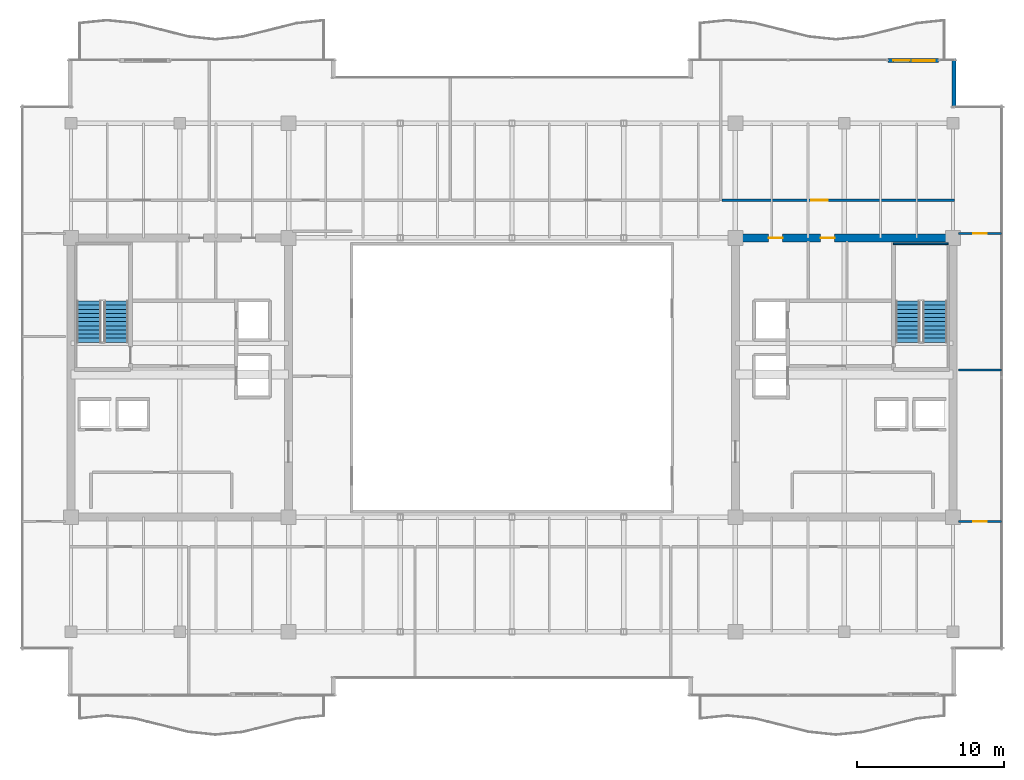
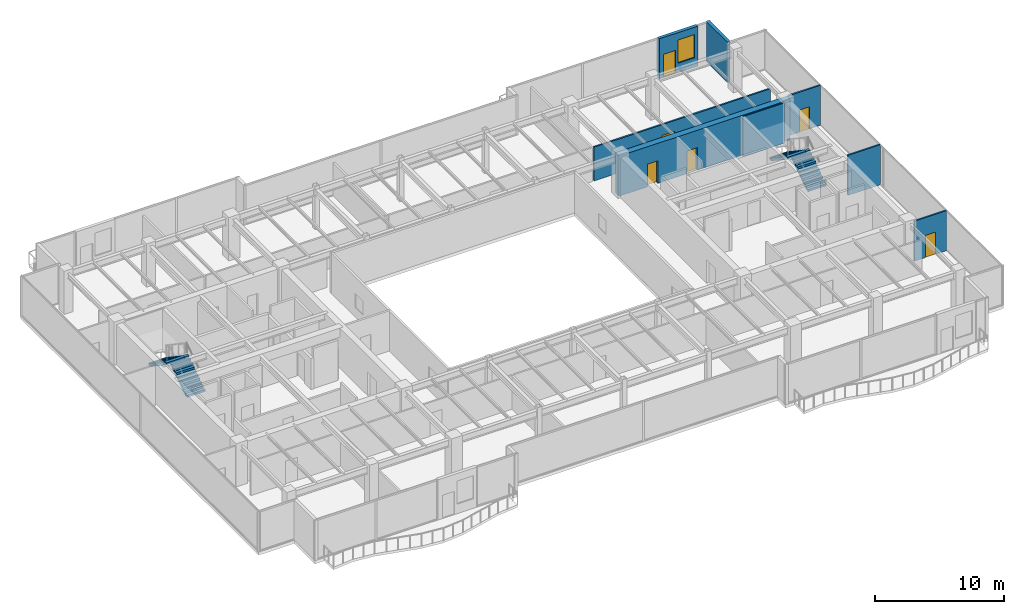
# One storey, part 31 of 34: 8 walls, 6 doors, 4 stair flights, 1 window, 7 openings, 2 elements without a shape of their own.
"""IFC4 building model written with IfcOpenShell, lengths in metres."""

from ifc_helpers import new_model, si_unit, direction, frame, frame_2d, origin, place, context, subcontext, project, spatial, polyline, rectangle, outline, extrude, source, transform, mapped, material, layer, layer_set, type_object, type_shapes, element, fill, aggregate, save


model = new_model("IFC4")

# Units and contexts
model_context = context("Model", 3, precision=1e-05, world=origin(), true_north=direction((0.0, 1.0)))
body_context = subcontext(model_context, "Body", "Model", "MODEL_VIEW")
ifc_project = project(units=[si_unit("LENGTHUNIT", "METRE"), si_unit("AREAUNIT", "SQUARE_METRE"), si_unit("VOLUMEUNIT", "CUBIC_METRE"), si_unit("PLANEANGLEUNIT", "RADIAN"), si_unit("MASSUNIT", "GRAM", prefix="KILO")], contexts=[model_context])

# Site, building, storey
site_placement = place(None, origin())
site = spatial("IfcSite", under=ifc_project, at=site_placement, CompositionType="ELEMENT")
building_placement = place(site_placement, origin())
building = spatial("IfcBuilding", under=site, at=building_placement, Name="Haelvirn Gate Laboratories", CompositionType="ELEMENT")
storey_placement = place(building_placement, frame((0.0, 0.0, 246.5)))
storey = spatial("IfcBuildingStorey", under=building, at=storey_placement, Name="L59", CompositionType="ELEMENT", Elevation=246.5)

# Wall, openings, door, window
ifc_material_1 = material(Name="Thermally-broken bronze aluminium rainscreen & mineral wool", Category="aluminium")
ifc_layer_1 = layer(ifc_material_1, 0.280029296875, Name="EW-TERR-280")
ifc_layer_set_1 = layer_set([ifc_layer_1], Name="Thermally-broken bronze aluminium rainscreen & mineral wool")
wall_type_1 = type_object("IfcWallType", Name="EW-TERR-280", PredefinedType="STANDARD", material=ifc_layer_set_1)
wall_1_placement = place(storey_placement, frame((62.971923828125, 45.860107421875, 0.0), z_axis=(0.0, 0.0, 1.0), x_axis=(1.0, 0.0, 0.0)))
wall_1 = element("IfcWall", 1, at=wall_1_placement, inside=storey, type_object=wall_type_1, Name="L59 Terrace Access Wall WB-EL-N", PredefinedType="STANDARD", context=body_context, shape_type="SweptSolid", body=[
    extrude(rectangle(XDim=3.4560546875, YDim=0.280029296875, at=frame_2d((1.72802734375, 0.0))), origin(), (0.0, 0.0, 1.0), 3.800048828125),
])
opening_1_placement = place(wall_1_placement, frame((0.3779296875, 0.0, 0.0)))
opening_1 = element("IfcOpeningElement", 2, at=opening_1_placement, cuts=wall_1, Name="Opening TD1", PredefinedType="OPENING", context=body_context, shape_type="SweptSolid", body=[
    extrude(rectangle(XDim=1.10009765625, YDim=2.199951171875, at=frame_2d((0.550048828125, 1.10009765625))), frame((0.0, 0.14990234375, 0.0), z_axis=(0.0, -1.0, 0.0), x_axis=(1.0, 0.0, 0.0)), (0.0, 0.0, 1.0), 0.300048828125),
])
opening_2_placement = place(wall_1_placement, frame((1.677978515625, 0.0, 0.89990234375)))
opening_2 = element("IfcOpeningElement", 3, at=opening_2_placement, cuts=wall_1, Name="Opening W3", PredefinedType="OPENING", context=body_context, shape_type="SweptSolid", body=[
    extrude(rectangle(XDim=1.5, YDim=2.199951171875, at=frame_2d((0.75, 1.10009765625))), frame((0.0, 0.14990234375, 0.0), z_axis=(0.0, -1.0, 0.0), x_axis=(1.0, 0.0, 0.0)), (0.0, 0.0, 1.0), 0.300048828125),
])
ifc_material_2 = material(Name="Thermally-broken bronze aluminium glazed terrace door", Category="aluminium")
door_type_1 = type_object("IfcDoorType", Name="DR-TERR-1100", OperationType="NOTDEFINED", PredefinedType="DOOR", material=ifc_material_2)
shared_shape_1 = source(origin(), body_context, "Body", "SweptSolid", [
    extrude(rectangle(XDim=1.10009765625, YDim=2.199951171875, at=frame_2d((0.550048828125, 1.10009765625))), frame((0.0, 0.02490234375, 0.0), z_axis=(0.0, -1.0, 0.0), x_axis=(1.0, 0.0, 0.0)), (0.0, 0.0, 1.0), 0.050048828125),
])
type_shapes(door_type_1, [shared_shape_1])
door_1_placement = place(opening_1_placement, origin())
door_1 = element("IfcDoor", 4, at=door_1_placement, inside=storey, type_object=door_type_1, Name="L59 Terrace Access Door WB-EL-N", OperationType="SINGLE_SWING_RIGHT", OverallHeight=2.199951171875, OverallWidth=1.10009765625, PredefinedType="DOOR", context=body_context, shape_type="MappedRepresentation", body=[
    mapped(shared_shape_1, transform((0.0, 0.0, 0.0), scale=1.0)),
])
fill(opening_1, door_1)
ifc_material_3 = material(Name="Bronze anodised aluminium & triple low-E glass", Category="aluminium")
window_type = type_object("IfcWindowType", Name="WIN-TERR-1600", PartitioningType="SINGLE_PANEL", PredefinedType="WINDOW", material=ifc_material_3)
shared_shape_2 = source(origin(), body_context, "Body", "SweptSolid", [
    extrude(rectangle(XDim=1.5, YDim=2.199951171875, at=frame_2d((0.75, 1.10009765625))), frame((0.0, 0.030029296875, 0.0), z_axis=(0.0, -1.0, 0.0), x_axis=(1.0, 0.0, 0.0)), (0.0, 0.0, 1.0), 0.06005859375),
])
type_shapes(window_type, [shared_shape_2])
window_placement = place(opening_2_placement, origin())
window = element("IfcWindow", 5, at=window_placement, inside=storey, type_object=window_type, Name="L59 Terrace Vision Window WB-EL-N", OverallHeight=2.199951171875, OverallWidth=1.5, PartitioningType="SINGLE_PANEL", PredefinedType="WINDOW", context=body_context, shape_type="MappedRepresentation", body=[
    mapped(shared_shape_2, transform((0.0, 0.0, 0.0), scale=1.0)),
])
fill(opening_2, window)

# Wall
wall_2_placement = place(storey_placement, frame((67.4599609375, 42.7119140625, 0.0), z_axis=(0.0, 0.0, 1.0), x_axis=(0.0, 1.0, 0.0)))
element("IfcWall", 6, at=wall_2_placement, inside=storey, type_object=wall_type_1, Name="L59 Atrium Recess Bronze Return Wall 09", PredefinedType="STANDARD", context=body_context, shape_type="SweptSolid", body=[
    extrude(rectangle(XDim=3.2880859375, YDim=0.280029296875, at=frame_2d((1.64404296875, 0.0))), origin(), (0.0, 0.0, 1.0), 3.800048828125),
])

# Wall, opening, door
ifc_material_4 = material(Name="Acoustic mineral-wool gypsum board partition", Category="gypsum")
ifc_layer_2 = layer(ifc_material_4, 0.139892578125, Name="IW-PART-140")
ifc_layer_set_2 = layer_set([ifc_layer_2], Name="Acoustic mineral-wool gypsum board partition")
wall_type_2 = type_object("IfcWallType", Name="IW-PART-140", PredefinedType="PARTITIONING", material=ifc_layer_set_2)
wall_3_placement = place(storey_placement, frame((51.679931640625, 36.360107421875, 0.0), z_axis=(0.0, 0.0, 1.0), x_axis=(1.0, 0.0, 0.0)))
wall_3 = element("IfcWall", 7, at=wall_3_placement, inside=storey, type_object=wall_type_2, Name="L59 Interior Wall IW-L59-NCORR-04", PredefinedType="PARTITIONING", context=body_context, shape_type="SweptSolid", body=[
    extrude(rectangle(XDim=15.81005859375, YDim=0.139892578125, at=frame_2d((7.905029296875, 0.0))), origin(), (0.0, 0.0, 1.0), 3.197021484375),
])
opening_3_placement = place(wall_3_placement, frame((6.093994140625, 0.0, 0.0)))
opening_3 = element("IfcOpeningElement", 8, at=opening_3_placement, cuts=wall_3, Name="Opening D1", PredefinedType="OPENING", context=body_context, shape_type="SweptSolid", body=[
    extrude(rectangle(XDim=1.10009765625, YDim=2.179931640625, at=frame_2d((0.550048828125, 1.08984375))), frame((0.0, 0.080078125, 0.0), z_axis=(0.0, -1.0, 0.0), x_axis=(1.0, 0.0, 0.0)), (0.0, 0.0, 1.0), 0.159912109375),
])
ifc_material_5 = material(Name="Vision-panel acoustic solid-core timber lab door", Category="wood")
door_type_2 = type_object("IfcDoorType", Name="DR-LAB-1100", OperationType="NOTDEFINED", PredefinedType="DOOR", material=ifc_material_5)
shared_shape_3 = source(origin(), body_context, "Body", "SweptSolid", [
    extrude(rectangle(XDim=1.10009765625, YDim=2.179931640625, at=frame_2d((0.550048828125, 1.08984375))), frame((0.0, 0.02490234375, 0.0), z_axis=(0.0, -1.0, 0.0), x_axis=(1.0, 0.0, 0.0)), (0.0, 0.0, 1.0), 0.050048828125),
])
type_shapes(door_type_2, [shared_shape_3])
door_2_placement = place(opening_3_placement, origin())
door_2 = element("IfcDoor", 9, at=door_2_placement, inside=storey, type_object=door_type_2, Name="L59 Colloquium Conference Room Door N4", OperationType="SINGLE_SWING_RIGHT", OverallHeight=2.179931640625, OverallWidth=1.10009765625, PredefinedType="DOOR", context=body_context, shape_type="MappedRepresentation", body=[
    mapped(shared_shape_3, transform((0.0, 0.0, 0.0), scale=1.0)),
])
fill(opening_3, door_2)

# Wall
wall_4_placement = place(storey_placement, frame((67.780029296875, 24.800048828125, 0.0), z_axis=(0.0, 0.0, 1.0), x_axis=(1.0, 0.0, 0.0)))
element("IfcWall", 10, at=wall_4_placement, inside=storey, type_object=wall_type_2, Name="L59 Interior Wall IW-L59-EZ3-MID", PredefinedType="PARTITIONING", context=body_context, shape_type="SweptSolid", body=[
    extrude(rectangle(XDim=2.909912109375, YDim=0.139892578125, at=frame_2d((1.455078125, 0.0))), origin(), (0.0, 0.0, 1.0), 3.800048828125),
])

# Wall, opening, door
wall_5_placement = place(storey_placement, frame((67.780029296875, 14.5048828125, 0.0), z_axis=(0.0, 0.0, 1.0), x_axis=(1.0, 0.0, 0.0)))
wall_5 = element("IfcWall", 11, at=wall_5_placement, inside=storey, type_object=wall_type_2, Name="L59 Interior Wall IW-L59-EZ3-ENT-S", PredefinedType="PARTITIONING", context=body_context, shape_type="SweptSolid", body=[
    extrude(rectangle(XDim=2.909912109375, YDim=0.139892578125, at=frame_2d((1.455078125, 0.0))), origin(), (0.0, 0.0, 1.0), 3.800048828125),
])
opening_4_placement = place(wall_5_placement, frame((1.0048828125, 0.0, 0.0)))
opening_4 = element("IfcOpeningElement", 12, at=opening_4_placement, cuts=wall_5, Name="Opening D4", PredefinedType="OPENING", context=body_context, shape_type="SweptSolid", body=[
    extrude(rectangle(XDim=0.89990234375, YDim=2.10009765625, at=frame_2d((0.449951171875, 1.050048828125))), frame((0.0, 0.080078125, 0.0), z_axis=(0.0, -1.0, 0.0), x_axis=(1.0, 0.0, 0.0)), (0.0, 0.0, 1.0), 0.159912109375),
])
ifc_material_6 = material(Name="Glazed aluminium-framed write-up door", Category="aluminium")
door_type_3 = type_object("IfcDoorType", Name="DR-OFF-900", OperationType="NOTDEFINED", PredefinedType="DOOR", material=ifc_material_6)
shared_shape_4 = source(origin(), body_context, "Body", "SweptSolid", [
    extrude(rectangle(XDim=0.89990234375, YDim=2.10009765625, at=frame_2d((0.449951171875, 1.050048828125))), frame((0.0, 0.02490234375, 0.0), z_axis=(0.0, -1.0, 0.0), x_axis=(1.0, 0.0, 0.0)), (0.0, 0.0, 1.0), 0.050048828125),
])
type_shapes(door_type_3, [shared_shape_4])
door_3_placement = place(opening_4_placement, origin())
door_3 = element("IfcDoor", 13, at=door_3_placement, inside=storey, type_object=door_type_3, Name="L59 Cleanroom Metrology Suite Door E-S", OperationType="SINGLE_SWING_LEFT", OverallHeight=2.10009765625, OverallWidth=0.89990234375, PredefinedType="DOOR", context=body_context, shape_type="MappedRepresentation", body=[
    mapped(shared_shape_4, transform((0.0, 0.0, 0.0), scale=1.0)),
])
fill(opening_4, door_3)

wall_6_placement = place(storey_placement, frame((67.780029296875, 34.094970703125, 0.0), z_axis=(0.0, 0.0, 1.0), x_axis=(1.0, 0.0, 0.0)))
wall_6 = element("IfcWall", 14, at=wall_6_placement, inside=storey, type_object=wall_type_2, Name="L59 Interior Wall IW-L59-EZ3-ENT-N", PredefinedType="PARTITIONING", context=body_context, shape_type="SweptSolid", body=[
    extrude(rectangle(XDim=2.909912109375, YDim=0.139892578125, at=frame_2d((1.455078125, 0.0))), origin(), (0.0, 0.0, 1.0), 3.800048828125),
])
opening_5_placement = place(wall_6_placement, frame((1.0048828125, 0.0, 0.0)))
opening_5 = element("IfcOpeningElement", 15, at=opening_5_placement, cuts=wall_6, Name="Opening D4", PredefinedType="OPENING", context=body_context, shape_type="SweptSolid", body=[
    extrude(rectangle(XDim=0.89990234375, YDim=2.10009765625, at=frame_2d((0.449951171875, 1.050048828125))), frame((0.0, 0.080078125, 0.0), z_axis=(0.0, -1.0, 0.0), x_axis=(1.0, 0.0, 0.0)), (0.0, 0.0, 1.0), 0.159912109375),
])
door_4_placement = place(opening_5_placement, origin())
door_4 = element("IfcDoor", 16, at=door_4_placement, inside=storey, type_object=door_type_3, Name="L59 Analytical Instrument Suite Door E-N", OperationType="SINGLE_SWING_RIGHT", OverallHeight=2.10009765625, OverallWidth=0.89990234375, PredefinedType="DOOR", context=body_context, shape_type="MappedRepresentation", body=[
    mapped(shared_shape_4, transform((0.0, 0.0, 0.0), scale=1.0)),
])
fill(opening_5, door_4)

# Wall, openings, doors
ifc_material_7 = material(Name="Concrete C50/60", Category="concrete")
ifc_layer_3 = layer(ifc_material_7, 0.550048828125, Name="SW-CORE-550")
ifc_layer_set_3 = layer_set([ifc_layer_3], Name="Concrete C50/60")
wall_type_3 = type_object("IfcWallType", Name="SW-CORE-550", PredefinedType="SHEAR", material=ifc_layer_set_3)
wall_7_placement = place(storey_placement, frame((52.324951171875, 33.800048828125, 0.0), z_axis=(0.0, 0.0, 1.0), x_axis=(1.0, 0.0, 0.0)))
wall_7 = element("IfcWall", 17, at=wall_7_placement, inside=storey, type_object=wall_type_3, Name="L59 E Core Shear Wall N", PredefinedType="SHEAR", context=body_context, shape_type="SweptSolid", body=[
    extrude(rectangle(XDim=15.35009765625, YDim=0.550048828125, at=frame_2d((7.675048828125, 0.0))), origin(), (0.0, 0.0, 1.0), 3.800048828125),
])
opening_6_placement = place(wall_7_placement, frame((6.074951171875, 0.0, 0.0)))
opening_6 = element("IfcOpeningElement", 18, at=opening_6_placement, cuts=wall_7, Name="Opening FD4", PredefinedType="OPENING", context=body_context, shape_type="SweptSolid", body=[
    extrude(rectangle(XDim=0.949951171875, YDim=2.14990234375, at=frame_2d((0.47509765625, 1.074951171875))), frame((0.0, 0.28515625, 0.0), z_axis=(0.0, -1.0, 0.0), x_axis=(1.0, 0.0, 0.0)), (0.0, 0.0, 1.0), 0.570068359375),
])
opening_7_placement = place(wall_7_placement, frame((2.534912109375, 0.0, 0.0)))
opening_7 = element("IfcOpeningElement", 19, at=opening_7_placement, cuts=wall_7, Name="Opening FD4", PredefinedType="OPENING", context=body_context, shape_type="SweptSolid", body=[
    extrude(rectangle(XDim=0.949951171875, YDim=2.14990234375, at=frame_2d((0.47509765625, 1.074951171875))), frame((0.0, 0.28515625, 0.0), z_axis=(0.0, -1.0, 0.0), x_axis=(1.0, 0.0, 0.0)), (0.0, 0.0, 1.0), 0.570068359375),
])
ifc_material_8 = material(Name="Fire-rated steel SM355 core service door", Category="steel")
door_type_4 = type_object("IfcDoorType", Name="DR-FD-950", OperationType="NOTDEFINED", PredefinedType="DOOR", material=ifc_material_8)
shared_shape_5 = source(origin(), body_context, "Body", "SweptSolid", [
    extrude(rectangle(XDim=0.949951171875, YDim=2.14990234375, at=frame_2d((0.47509765625, 1.074951171875))), frame((0.0, 0.02490234375, 0.0), z_axis=(0.0, -1.0, 0.0), x_axis=(1.0, 0.0, 0.0)), (0.0, 0.0, 1.0), 0.050048828125),
])
type_shapes(door_type_4, [shared_shape_5])
door_5_placement = place(opening_6_placement, origin())
door_5 = element("IfcDoor", 20, at=door_5_placement, inside=storey, type_object=door_type_4, Name="L59 Accessible Restroom Fire Door", OperationType="SINGLE_SWING_RIGHT", OverallHeight=2.14990234375, OverallWidth=0.949951171875, PredefinedType="DOOR", context=body_context, shape_type="MappedRepresentation", body=[
    mapped(shared_shape_5, transform((0.0, 0.0, 0.0), scale=1.0)),
])
fill(opening_6, door_5)
door_6_placement = place(opening_7_placement, origin())
door_6 = element("IfcDoor", 21, at=door_6_placement, inside=storey, type_object=door_type_4, Name="L59 Staff Restroom Fire Door", OperationType="SINGLE_SWING_LEFT", OverallHeight=2.14990234375, OverallWidth=0.949951171875, PredefinedType="DOOR", context=body_context, shape_type="MappedRepresentation", body=[
    mapped(shared_shape_5, transform((0.0, 0.0, 0.0), scale=1.0)),
])
fill(opening_7, door_6)

# Wall
ifc_layer_4 = layer(ifc_material_7, 0.1201171875, Name="SW-LINER-120")
ifc_layer_set_4 = layer_set([ifc_layer_4], Name="Concrete C50/60")
wall_type_4 = type_object("IfcWallType", Name="SW-LINER-120", PredefinedType="SOLIDWALL", material=ifc_layer_set_4)
wall_8_placement = place(storey_placement, frame((63.35009765625, 33.39990234375, 0.0), z_axis=(0.0, 0.0, 1.0), x_axis=(1.0, 0.0, 0.0)))
element("IfcWall", 22, at=wall_8_placement, inside=storey, type_object=wall_type_4, Name="L59 E Core Stair Shaft Liner Wall N", PredefinedType="SOLIDWALL", context=body_context, shape_type="SweptSolid", body=[
    extrude(rectangle(XDim=3.719970703125, YDim=0.1201171875, at=frame_2d((1.85986328125, 0.0))), origin(), (0.0, 0.0, 1.0), 3.800048828125),
])

# Stair, stair flights
ifc_material_9 = material(Name="Concrete C40/50", Category="concrete")
stair_type = type_object("IfcStairType", Name="ST-DOG-1650-R22", PredefinedType="HALF_TURN_STAIR", material=ifc_material_9)
stair_1_placement = place(storey_placement, origin())
stair_1 = element("IfcStair", 23, at=stair_1_placement, inside=storey, type_object=stair_type, Name="L59 Escape Stair ST1", PredefinedType="HALF_TURN_STAIR")
stair_flight_type = type_object("IfcStairFlightType", Name="STF-1650-R11", PredefinedType="STRAIGHT", material=ifc_material_9)
shared_shape_6 = source(origin(), body_context, "Body", "SweptSolid", [
    extrude(outline(polyline([(0.0, 0.0), (0.0, 0.186279296875), (0.280029296875, 0.186279296875), (0.280029296875, 0.372802734375), (0.56005859375, 0.372802734375), (0.56005859375, 0.55908203125), (0.840087890625, 0.55908203125), (0.840087890625, 0.745361328125), (1.1201171875, 0.745361328125), (1.1201171875, 0.931884765625), (1.39990234375, 0.931884765625), (1.39990234375, 1.1181640625), (1.679931640625, 1.1181640625), (1.679931640625, 1.304443359375), (1.9599609375, 1.304443359375), (1.9599609375, 1.490966796875), (2.239990234375, 1.490966796875), (2.239990234375, 1.67724609375), (2.52001953125, 1.67724609375), (2.52001953125, 1.863525390625), (2.800048828125, 1.863525390625), (2.800048828125, 2.050048828125), (2.800048828125, 1.671630859375), (0.28857421875, 0.0), (0.0, 0.0)])), frame((0.0, 0.824951171875, 0.0), z_axis=(0.0, -1.0, 0.0), x_axis=(1.0, 0.0, 0.0)), (0.0, 0.0, 1.0), 1.64990234375),
])
type_shapes(stair_flight_type, [shared_shape_6])
stair_flight_1_placement = place(storey_placement, frame((10.47509765625, 26.699951171875, 0.0), z_axis=(0.0, 0.0, 1.0), x_axis=(0.0, 1.0, 0.0)))
stair_flight_1 = element("IfcStairFlight", 24, at=stair_flight_1_placement, type_object=stair_flight_type, Name="ST1 flight 1", NumberOfRisers=11, NumberOfTreads=10, PredefinedType="STRAIGHT", RiserHeight=0.186363636, TreadLength=0.28, context=body_context, shape_type="MappedRepresentation", body=[
    mapped(shared_shape_6, transform((0.0, 0.0, 0.0), scale=1.0)),
])
stair_flight_2_placement = place(storey_placement, frame((8.625, 29.5, 2.050048828125), z_axis=(0.0, 0.0, 1.0), x_axis=(0.0, -1.0, 0.0)))
stair_flight_2 = element("IfcStairFlight", 25, at=stair_flight_2_placement, type_object=stair_flight_type, Name="ST1 flight 2", NumberOfRisers=11, NumberOfTreads=10, PredefinedType="STRAIGHT", RiserHeight=0.186363636, TreadLength=0.28, context=body_context, shape_type="MappedRepresentation", body=[
    mapped(shared_shape_6, transform((0.0, 0.0, 0.0), scale=1.0)),
])
aggregate(stair_1, [stair_flight_1, stair_flight_2])

stair_2_placement = place(storey_placement, origin())
stair_2 = element("IfcStair", 26, at=stair_2_placement, inside=storey, type_object=stair_type, Name="L59 Escape Stair ST2", PredefinedType="HALF_TURN_STAIR")
stair_flight_3_placement = place(storey_placement, frame((66.175048828125, 26.699951171875, 0.0), z_axis=(0.0, 0.0, 1.0), x_axis=(0.0, 1.0, 0.0)))
stair_flight_3 = element("IfcStairFlight", 27, at=stair_flight_3_placement, type_object=stair_flight_type, Name="ST2 flight 1", NumberOfRisers=11, NumberOfTreads=10, PredefinedType="STRAIGHT", RiserHeight=0.186363636, TreadLength=0.28, context=body_context, shape_type="MappedRepresentation", body=[
    mapped(shared_shape_6, transform((0.0, 0.0, 0.0), scale=1.0)),
])
stair_flight_4_placement = place(storey_placement, frame((64.324951171875, 29.5, 2.050048828125), z_axis=(0.0, 0.0, 1.0), x_axis=(0.0, -1.0, 0.0)))
stair_flight_4 = element("IfcStairFlight", 28, at=stair_flight_4_placement, type_object=stair_flight_type, Name="ST2 flight 2", NumberOfRisers=11, NumberOfTreads=10, PredefinedType="STRAIGHT", RiserHeight=0.186363636, TreadLength=0.28, context=body_context, shape_type="MappedRepresentation", body=[
    mapped(shared_shape_6, transform((0.0, 0.0, 0.0), scale=1.0)),
])
aggregate(stair_2, [stair_flight_3, stair_flight_4])

save(model, "model.ifc")
